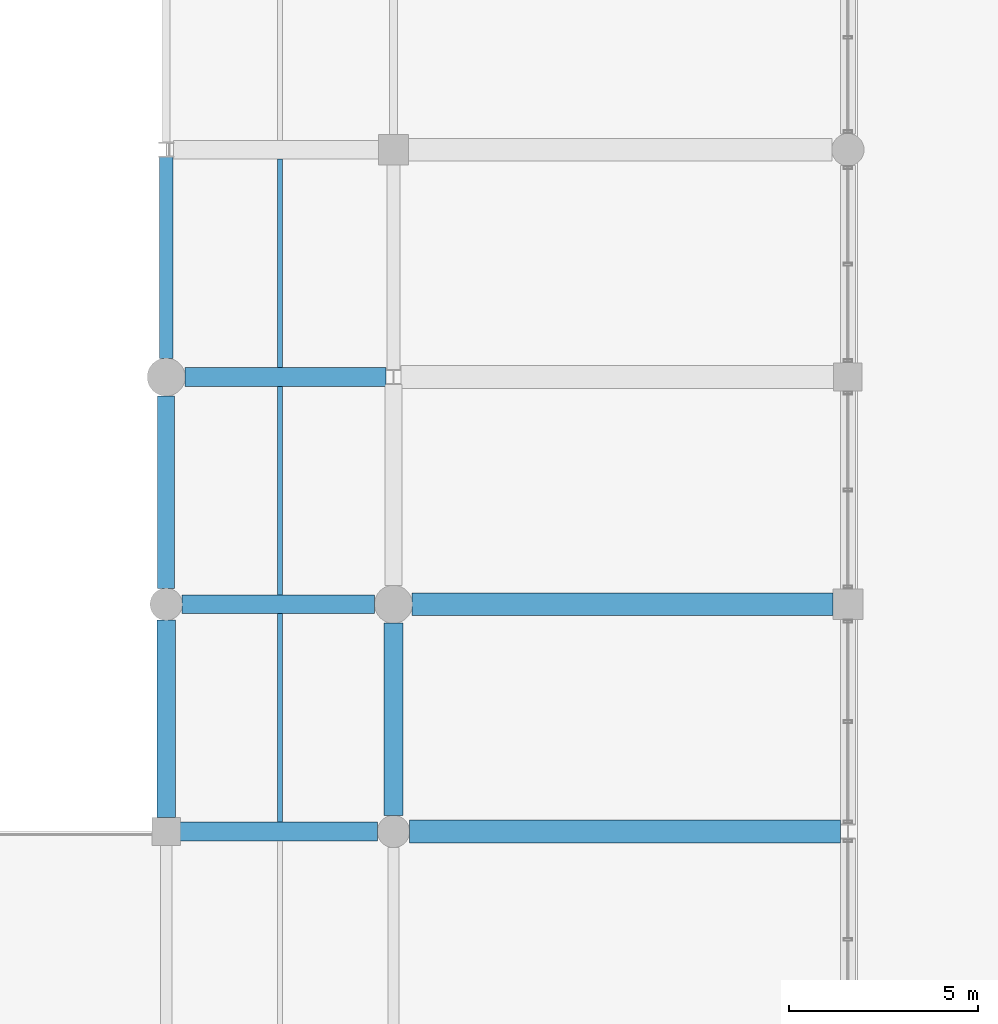
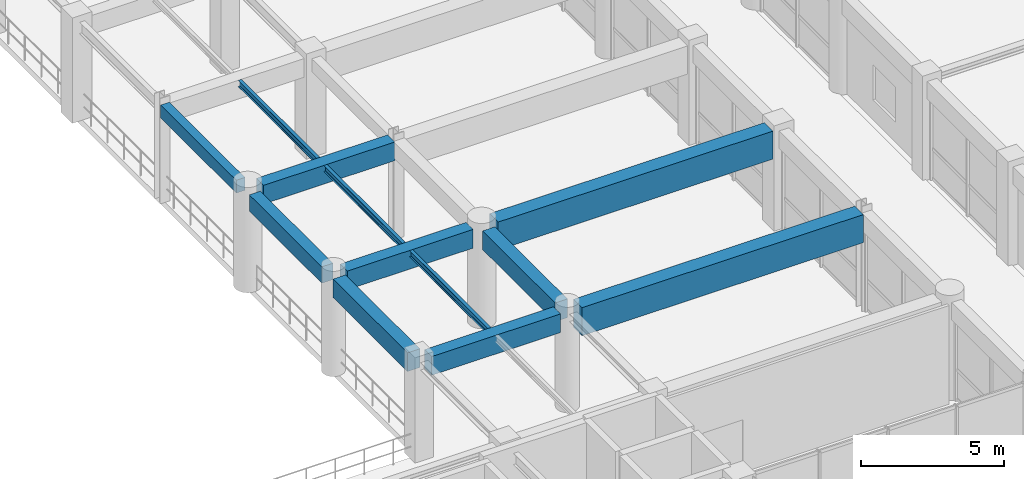
# One storey, part 60 of 133: 12 beams.
"""IFC4 building model written with IfcOpenShell, lengths in metres."""

from ifc_helpers import new_model, si_unit, direction, frame, origin, origin_2d, place, context, subcontext, project, spatial, rectangle, i_section, extrude, material, material_profile, profile_set, type_object, element, save


model = new_model("IFC4")

# Units and contexts
model_context = context("Model", 3, precision=1e-05, world=origin(), true_north=direction((0.0, 1.0)))
body_context = subcontext(model_context, "Body", "Model", "MODEL_VIEW")
ifc_project = project(units=[si_unit("LENGTHUNIT", "METRE"), si_unit("AREAUNIT", "SQUARE_METRE"), si_unit("VOLUMEUNIT", "CUBIC_METRE"), si_unit("PLANEANGLEUNIT", "RADIAN"), si_unit("MASSUNIT", "GRAM", prefix="KILO"), si_unit("THERMODYNAMICTEMPERATUREUNIT", "KELVIN"), si_unit("POWERUNIT", "WATT")], contexts=[model_context])

# Site, building, storey
site_placement = place(None, origin())
site = spatial("IfcSite", under=ifc_project, at=site_placement, CompositionType="ELEMENT")
building_placement = place(site_placement, origin())
building = spatial("IfcBuilding", under=site, at=building_placement, Name="Phaisarnlok Congress Hotel", CompositionType="ELEMENT")
storey_placement = place(building_placement, frame((0.0, 0.0, 6.0)))
storey = spatial("IfcBuildingStorey", under=building, at=storey_placement, Name="L01", CompositionType="ELEMENT", Elevation=6.0)

# Beams
ifc_material_1 = material(Name="Concrete C40/50", Category="concrete")
ifc_material_profile_1 = material_profile(ifc_material_1, rectangle(XDim=0.35009765625, YDim=0.550048828125, at=origin_2d()), Name="RC 350x550")
ifc_profile_set_1 = profile_set([ifc_material_profile_1], Name="Concrete C40/50")
beam_type_1 = type_object("IfcBeamType", Name="BM-RC-350x550", PredefinedType="BEAM", material=ifc_profile_set_1)
beam_1_placement = place(storey_placement, frame((138.0, 60.4951171875, 3.945068359375), z_axis=(0.0, 1.0, 0.0), x_axis=(-1.0, 0.0, 0.0)))
element("IfcBeam", 1, at=beam_1_placement, inside=storey, type_object=beam_type_1, Name="Beam B-01", PredefinedType="BEAM", context=body_context, shape_type="SweptSolid", body=[
    extrude(rectangle(XDim=0.35009765625, YDim=0.550048828125, at=origin_2d()), origin(), (0.0, 0.0, 1.0), 5.310302734375),
])
ifc_material_profile_2 = material_profile(ifc_material_1, rectangle(XDim=0.449951171875, YDim=0.699951171875, at=origin_2d()), Name="RC 450x700")
ifc_profile_set_2 = profile_set([ifc_material_profile_2], Name="Concrete C40/50")
beam_type_2 = type_object("IfcBeamType", Name="BM-RC-450x700", PredefinedType="BEAM", material=ifc_profile_set_2)
beam_2_placement = place(storey_placement, frame((138.0, 54.419921875, 3.8701171875), z_axis=(0.0, 1.0, 0.0), x_axis=(-1.0, 0.0, 0.0)))
element("IfcBeam", 2, at=beam_2_placement, inside=storey, type_object=beam_type_2, Name="Beam B-03", PredefinedType="BEAM", context=body_context, shape_type="SweptSolid", body=[
    extrude(rectangle(XDim=0.449951171875, YDim=0.699951171875, at=origin_2d()), origin(), (0.0, 0.0, 1.0), 5.0849609375),
])
ifc_material_profile_3 = material_profile(ifc_material_1, rectangle(XDim=0.5, YDim=0.800048828125, at=origin_2d()), Name="RC 500x800")
ifc_profile_set_3 = profile_set([ifc_material_profile_3], Name="Concrete C40/50")
beam_type_3 = type_object("IfcBeamType", Name="BM-RC-500x800", PredefinedType="BEAM", material=ifc_profile_set_3)
for number, where, z_axis, x_axis, name in (
    (3, (138.3701171875, 48.0, 3.820068359375), (1.0, 0.0, 0.0), (0.0, 1.0, 0.0), "Beam B-04"),
    (4, (138.0, 48.3701171875, 3.820068359375), (0.0, 1.0, 0.0), (-1.0, 0.0, 0.0), "Beam B-04"),
):
    element("IfcBeam", number, at=place(storey_placement, frame(where, z_axis=z_axis, x_axis=x_axis)), inside=storey, type_object=beam_type_3, Name=name, PredefinedType="BEAM", context=body_context, shape_type="SweptSolid", body=[
        extrude(rectangle(XDim=0.5, YDim=0.800048828125, at=origin_2d()), origin(), (0.0, 0.0, 1.0), 5.2099609375),
    ])
beam_3_placement = place(storey_placement, frame((138.419921875, 54.0, 3.820068359375), z_axis=(1.0, 0.0, 0.0), x_axis=(0.0, 1.0, 0.0)))
element("IfcBeam", 5, at=beam_3_placement, inside=storey, type_object=beam_type_3, Name="Beam B-04", PredefinedType="BEAM", context=body_context, shape_type="SweptSolid", body=[
    extrude(rectangle(XDim=0.5, YDim=0.800048828125, at=origin_2d()), origin(), (0.0, 0.0, 1.0), 5.0849609375),
])
beam_4_placement = place(storey_placement, frame((138.4951171875, 60.0, 3.820068359375), z_axis=(1.0, 0.0, 0.0), x_axis=(0.0, 1.0, 0.0)))
element("IfcBeam", 6, at=beam_4_placement, inside=storey, type_object=beam_type_3, Name="Beam B-04", PredefinedType="BEAM", context=body_context, shape_type="SweptSolid", body=[
    extrude(rectangle(XDim=0.5, YDim=0.800048828125, at=origin_2d()), origin(), (0.0, 0.0, 1.0), 5.309326171875),
])
beam_5_placement = place(storey_placement, frame((144.0, 48.419921875, 3.820068359375), z_axis=(0.0, 1.0, 0.0), x_axis=(-1.0, 0.0, 0.0)))
element("IfcBeam", 7, at=beam_5_placement, inside=storey, type_object=beam_type_3, Name="Beam B-04", PredefinedType="BEAM", context=body_context, shape_type="SweptSolid", body=[
    extrude(rectangle(XDim=0.5, YDim=0.800048828125, at=origin_2d()), origin(), (0.0, 0.0, 1.0), 5.0849609375),
])
ifc_material_2 = material(Name="Concrete C50/60", Category="concrete")
ifc_material_profile_4 = material_profile(ifc_material_2, rectangle(XDim=0.60009765625, YDim=1.199951171875, at=origin_2d()), Name="RC 600x1200")
ifc_profile_set_4 = profile_set([ifc_material_profile_4], Name="Concrete C50/60")
beam_type_4 = type_object("IfcBeamType", Name="BM-RC-600x1200", PredefinedType="BEAM", material=ifc_profile_set_4)
beam_6_placement = place(storey_placement, frame((144.419921875, 48.0, 3.6201171875), z_axis=(1.0, 0.0, 0.0), x_axis=(0.0, 1.0, 0.0)))
element("IfcBeam", 8, at=beam_6_placement, inside=storey, type_object=beam_type_4, Name="Ramp bay 12m girder B-06", PredefinedType="BEAM", context=body_context, shape_type="SweptSolid", body=[
    extrude(rectangle(XDim=0.60009765625, YDim=1.199951171875, at=origin_2d()), origin(), (0.0, 0.0, 1.0), 11.384521484375),
])
beam_7_placement = place(storey_placement, frame((144.4951171875, 54.0, 3.6201171875), z_axis=(1.0, 0.0, 0.0), x_axis=(0.0, 1.0, 0.0)))
element("IfcBeam", 9, at=beam_7_placement, inside=storey, type_object=beam_type_4, Name="Ramp bay 12m girder B-06", PredefinedType="BEAM", context=body_context, shape_type="SweptSolid", body=[
    extrude(rectangle(XDim=0.60009765625, YDim=1.199951171875, at=origin_2d()), origin(), (0.0, 0.0, 1.0), 11.10986328125),
])
ifc_material_3 = material(Name="Steel S355", Category="steel")
ifc_material_profile_5 = material_profile(ifc_material_3, i_section(OverallWidth=0.135009765625, OverallDepth=0.27001953125, WebThickness=0.006591796875, FlangeThickness=0.01025390625, FilletRadius=0.014892578125, at=origin_2d()), Name="IPE 270")
ifc_profile_set_5 = profile_set([ifc_material_profile_5], Name="Steel S355")
beam_type_5 = type_object("IfcBeamType", Name="JS-STL-IPE270", PredefinedType="JOIST", material=ifc_profile_set_5)
for number, where, z_axis, x_axis, name in (
    (10, (141.0, 48.2451171875, 4.0849609375), (0.0, 1.0, 0.0), (-1.0, 0.0, 0.0), "Secondary floor joist J-02"),
    (11, (141.0, 54.2451171875, 4.0849609375), (0.0, 1.0, 0.0), (-1.0, 0.0, 0.0), "Secondary floor joist J-02"),
    (12, (141.0, 60.2451171875, 4.0849609375), (0.0, 1.0, 0.0), (-1.0, 0.0, 0.0), "Secondary floor joist J-02"),
):
    element("IfcBeam", number, at=place(storey_placement, frame(where, z_axis=z_axis, x_axis=x_axis)), inside=storey, type_object=beam_type_5, Name=name, PredefinedType="JOIST", context=body_context, shape_type="SweptSolid", body=[
        extrude(i_section(OverallWidth=0.135009765625, OverallDepth=0.27001953125, WebThickness=0.006591796875, FlangeThickness=0.01025390625, FilletRadius=0.014892578125, at=origin_2d()), origin(), (0.0, 0.0, 1.0), 5.509765625),
    ])

save(model, "model.ifc")
